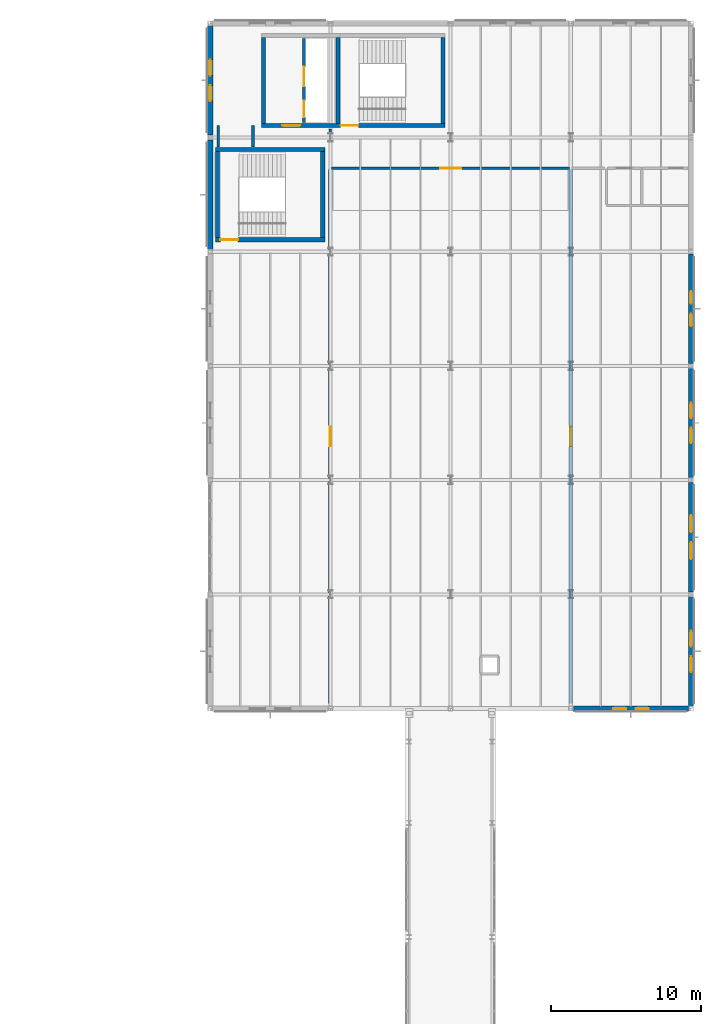
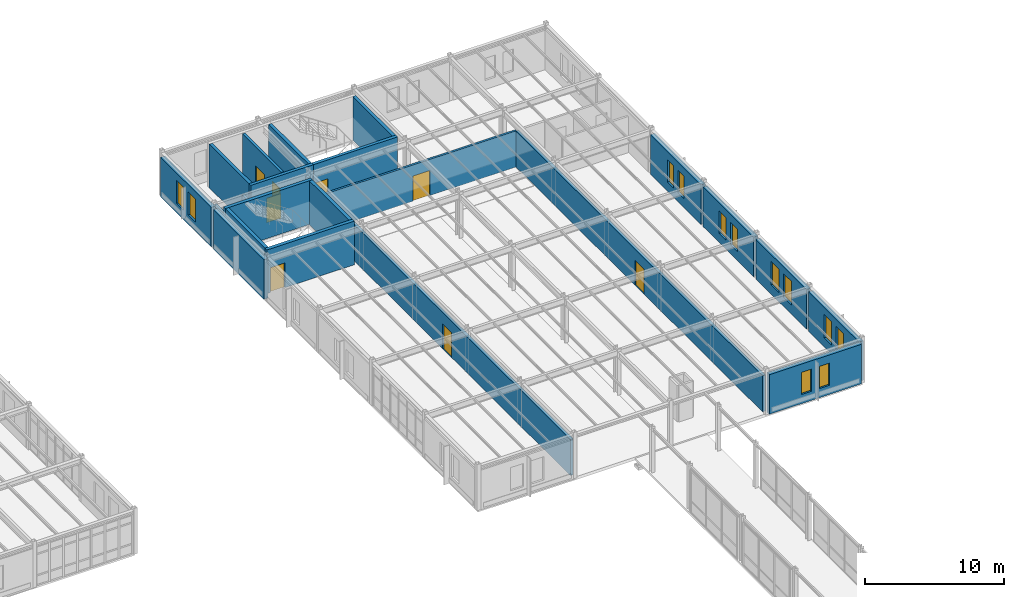
# One storey, part 143 of 165: 23 walls, 12 windows, 8 doors, 20 openings.
"""IFC4 building model written with IfcOpenShell, lengths in metres."""

from ifc_helpers import new_model, si_unit, direction, frame, frame_2d, origin, place, context, subcontext, project, spatial, rectangle, extrude, material, layer, layer_set, type_object, element, fill, save


model = new_model("IFC4")

# Units and contexts
model_context = context("Model", 3, precision=1e-05, world=origin(), true_north=direction((0.0, 1.0)))
body_context = subcontext(model_context, "Body", "Model", "MODEL_VIEW")
ifc_project = project(units=[si_unit("LENGTHUNIT", "METRE"), si_unit("AREAUNIT", "SQUARE_METRE"), si_unit("VOLUMEUNIT", "CUBIC_METRE"), si_unit("PLANEANGLEUNIT", "RADIAN"), si_unit("MASSUNIT", "GRAM", prefix="KILO")], contexts=[model_context])

# Site, building, storey
site_placement = place(None, origin())
site = spatial("IfcSite", under=ifc_project, at=site_placement, CompositionType="ELEMENT")
building_placement = place(site_placement, origin())
building = spatial("IfcBuilding", under=site, at=building_placement, Name="Montecoro Central Library", CompositionType="ELEMENT")
storey_placement = place(building_placement, frame((0.0, 0.0, 5.10009765625)))
storey = spatial("IfcBuildingStorey", under=building, at=storey_placement, Name="L01", CompositionType="ELEMENT", Elevation=5.10009765625)

# Wall, openings, windows
ifc_material_1 = material(Name="Roman travertine stone clad concrete C35/45", Category="masonry")
ifc_layer_1 = layer(ifc_material_1, 0.364990234375)
ifc_layer_set_1 = layer_set([ifc_layer_1], Name="Roman travertine stone clad concrete C35/45")
wall_type_1 = type_object("IfcWallType", Name="EW-STK-365", PredefinedType="SOLIDWALL", material=ifc_layer_set_1)
wall_1_placement = place(storey_placement, frame((165.153076171875, 73.39990234375, 0.0), z_axis=(0.0, 0.0, 1.0), x_axis=(1.0, 0.0, 0.0)))
wall_1 = element("IfcWall", 1, at=wall_1_placement, inside=storey, type_object=wall_type_1, Name="V5-L01-EW-S3", PredefinedType="SOLIDWALL", context=body_context, shape_type="SweptSolid", body=[
    extrude(rectangle(XDim=7.69384765625, YDim=0.364990234375, at=frame_2d((3.846923828125, 0.0))), origin(), (0.0, 0.0, 1.0), 3.47998046875),
])
opening_1_placement = place(wall_1_placement, frame((2.672119140625, 0.0, 0.800048828125)))
opening_1 = element("IfcOpeningElement", 2, at=opening_1_placement, cuts=wall_1, Name="Opening WN-01", PredefinedType="OPENING", context=body_context, shape_type="SweptSolid", body=[
    extrude(rectangle(XDim=0.85009765625, YDim=1.949951171875, at=frame_2d((0.425048828125, 0.97509765625))), frame((0.0, 0.1923828125, 0.0), z_axis=(0.0, -1.0, 0.0), x_axis=(1.0, 0.0, 0.0)), (0.0, 0.0, 1.0), 0.385009765625),
])
opening_2_placement = place(wall_1_placement, frame((4.172119140625, 0.0, 0.800048828125)))
opening_2 = element("IfcOpeningElement", 3, at=opening_2_placement, cuts=wall_1, Name="Opening WN-01", PredefinedType="OPENING", context=body_context, shape_type="SweptSolid", body=[
    extrude(rectangle(XDim=0.85009765625, YDim=1.949951171875, at=frame_2d((0.425048828125, 0.97509765625))), frame((0.0, 0.1923828125, 0.0), z_axis=(0.0, -1.0, 0.0), x_axis=(1.0, 0.0, 0.0)), (0.0, 0.0, 1.0), 0.385009765625),
])
ifc_material_2 = material(Name="UV-filtered triple glazing", Category="glass")
window_type_1 = type_object("IfcWindowType", Name="WN-STK-085", PartitioningType="SINGLE_PANEL", PredefinedType="WINDOW", material=ifc_material_2)
window_1_placement = place(opening_1_placement, origin())
window_1 = element("IfcWindow", 4, at=window_1_placement, inside=storey, type_object=window_type_1, Name="V5-L01-WN-S3-1", OverallHeight=1.949951171875, OverallWidth=0.85009765625, PartitioningType="SINGLE_PANEL", PredefinedType="WINDOW", context=body_context, shape_type="SweptSolid", body=[
    extrude(rectangle(XDim=0.85009765625, YDim=1.949951171875, at=frame_2d((0.425048828125, 0.97509765625))), frame((0.0, 0.030029296875, 0.0), z_axis=(0.0, -1.0, 0.0), x_axis=(1.0, 0.0, 0.0)), (0.0, 0.0, 1.0), 0.06005859375),
])
fill(opening_1, window_1)
window_2_placement = place(opening_2_placement, origin())
window_2 = element("IfcWindow", 5, at=window_2_placement, inside=storey, type_object=window_type_1, Name="V5-L01-WN-S3-2", OverallHeight=1.949951171875, OverallWidth=0.85009765625, PartitioningType="SINGLE_PANEL", PredefinedType="WINDOW", context=body_context, shape_type="SweptSolid", body=[
    extrude(rectangle(XDim=0.85009765625, YDim=1.949951171875, at=frame_2d((0.425048828125, 0.97509765625))), frame((0.0, 0.030029296875, 0.0), z_axis=(0.0, -1.0, 0.0), x_axis=(1.0, 0.0, 0.0)), (0.0, 0.0, 1.0), 0.06005859375),
])
fill(opening_2, window_2)

wall_2_placement = place(storey_placement, frame((173.0, 73.552978515625, 0.0), z_axis=(0.0, 0.0, 1.0), x_axis=(0.0, 1.0, 0.0)))
wall_2 = element("IfcWall", 6, at=wall_2_placement, inside=storey, type_object=wall_type_1, Name="V5-L01-EW-E0", PredefinedType="SOLIDWALL", context=body_context, shape_type="SweptSolid", body=[
    extrude(rectangle(XDim=7.2939453125, YDim=0.364990234375, at=frame_2d((3.64697265625, 0.0))), origin(), (0.0, 0.0, 1.0), 3.47998046875),
])
opening_3_placement = place(wall_2_placement, frame((2.27197265625, 0.0, 0.800048828125)))
opening_3 = element("IfcOpeningElement", 7, at=opening_3_placement, cuts=wall_2, Name="Opening WN-03", PredefinedType="OPENING", context=body_context, shape_type="SweptSolid", body=[
    extrude(rectangle(XDim=1.050048828125, YDim=2.050048828125, at=frame_2d((0.52490234375, 1.02490234375))), frame((0.0, 0.1923828125, 0.0), z_axis=(0.0, -1.0, 0.0), x_axis=(1.0, 0.0, 0.0)), (0.0, 0.0, 1.0), 0.385009765625),
])
opening_4_placement = place(wall_2_placement, frame((3.971923828125, 0.0, 0.800048828125)))
opening_4 = element("IfcOpeningElement", 8, at=opening_4_placement, cuts=wall_2, Name="Opening WN-03", PredefinedType="OPENING", context=body_context, shape_type="SweptSolid", body=[
    extrude(rectangle(XDim=1.050048828125, YDim=2.050048828125, at=frame_2d((0.52490234375, 1.02490234375))), frame((0.0, 0.1923828125, 0.0), z_axis=(0.0, -1.0, 0.0), x_axis=(1.0, 0.0, 0.0)), (0.0, 0.0, 1.0), 0.385009765625),
])
window_type_2 = type_object("IfcWindowType", Name="WN-STK-105", PartitioningType="SINGLE_PANEL", PredefinedType="WINDOW", material=ifc_material_2)
window_3_placement = place(opening_3_placement, origin())
window_3 = element("IfcWindow", 9, at=window_3_placement, inside=storey, type_object=window_type_2, Name="V5-L01-WN-E0-1", OverallHeight=2.050048828125, OverallWidth=1.050048828125, PartitioningType="SINGLE_PANEL", PredefinedType="WINDOW", context=body_context, shape_type="SweptSolid", body=[
    extrude(rectangle(XDim=1.050048828125, YDim=2.050048828125, at=frame_2d((0.52490234375, 1.02490234375))), frame((0.0, 0.030029296875, 0.0), z_axis=(0.0, -1.0, 0.0), x_axis=(1.0, 0.0, 0.0)), (0.0, 0.0, 1.0), 0.06005859375),
])
fill(opening_3, window_3)
window_4_placement = place(opening_4_placement, origin())
window_4 = element("IfcWindow", 10, at=window_4_placement, inside=storey, type_object=window_type_2, Name="V5-L01-WN-E0-2", OverallHeight=2.050048828125, OverallWidth=1.050048828125, PartitioningType="SINGLE_PANEL", PredefinedType="WINDOW", context=body_context, shape_type="SweptSolid", body=[
    extrude(rectangle(XDim=1.050048828125, YDim=2.050048828125, at=frame_2d((0.52490234375, 1.02490234375))), frame((0.0, 0.030029296875, 0.0), z_axis=(0.0, -1.0, 0.0), x_axis=(1.0, 0.0, 0.0)), (0.0, 0.0, 1.0), 0.06005859375),
])
fill(opening_4, window_4)

wall_3_placement = place(storey_placement, frame((173.0, 81.153076171875, 0.0), z_axis=(0.0, 0.0, 1.0), x_axis=(0.0, 1.0, 0.0)))
wall_3 = element("IfcWall", 11, at=wall_3_placement, inside=storey, type_object=wall_type_1, Name="V5-L01-EW-E1", PredefinedType="SOLIDWALL", context=body_context, shape_type="SweptSolid", body=[
    extrude(rectangle(XDim=7.2939453125, YDim=0.364990234375, at=frame_2d((3.64697265625, 0.0))), origin(), (0.0, 0.0, 1.0), 3.47998046875),
])
opening_5_placement = place(wall_3_placement, frame((2.172119140625, 0.0, 0.800048828125)))
opening_5 = element("IfcOpeningElement", 12, at=opening_5_placement, cuts=wall_3, Name="Opening WN-04", PredefinedType="OPENING", context=body_context, shape_type="SweptSolid", body=[
    extrude(rectangle(XDim=1.14990234375, YDim=2.10009765625, at=frame_2d((0.574951171875, 1.050048828125))), frame((0.0, 0.1923828125, 0.0), z_axis=(0.0, -1.0, 0.0), x_axis=(1.0, 0.0, 0.0)), (0.0, 0.0, 1.0), 0.385009765625),
])
opening_6_placement = place(wall_3_placement, frame((3.971923828125, 0.0, 0.800048828125)))
opening_6 = element("IfcOpeningElement", 13, at=opening_6_placement, cuts=wall_3, Name="Opening WN-04", PredefinedType="OPENING", context=body_context, shape_type="SweptSolid", body=[
    extrude(rectangle(XDim=1.14990234375, YDim=2.10009765625, at=frame_2d((0.574951171875, 1.050048828125))), frame((0.0, 0.1923828125, 0.0), z_axis=(0.0, -1.0, 0.0), x_axis=(1.0, 0.0, 0.0)), (0.0, 0.0, 1.0), 0.385009765625),
])
window_type_3 = type_object("IfcWindowType", Name="WN-STK-115", PartitioningType="SINGLE_PANEL", PredefinedType="WINDOW", material=ifc_material_2)
window_5_placement = place(opening_5_placement, origin())
window_5 = element("IfcWindow", 14, at=window_5_placement, inside=storey, type_object=window_type_3, Name="V5-L01-WN-E1-1", OverallHeight=2.10009765625, OverallWidth=1.14990234375, PartitioningType="SINGLE_PANEL", PredefinedType="WINDOW", context=body_context, shape_type="SweptSolid", body=[
    extrude(rectangle(XDim=1.14990234375, YDim=2.10009765625, at=frame_2d((0.574951171875, 1.050048828125))), frame((0.0, 0.030029296875, 0.0), z_axis=(0.0, -1.0, 0.0), x_axis=(1.0, 0.0, 0.0)), (0.0, 0.0, 1.0), 0.06005859375),
])
fill(opening_5, window_5)
window_6_placement = place(opening_6_placement, origin())
window_6 = element("IfcWindow", 15, at=window_6_placement, inside=storey, type_object=window_type_3, Name="V5-L01-WN-E1-2", OverallHeight=2.10009765625, OverallWidth=1.14990234375, PartitioningType="SINGLE_PANEL", PredefinedType="WINDOW", context=body_context, shape_type="SweptSolid", body=[
    extrude(rectangle(XDim=1.14990234375, YDim=2.10009765625, at=frame_2d((0.574951171875, 1.050048828125))), frame((0.0, 0.030029296875, 0.0), z_axis=(0.0, -1.0, 0.0), x_axis=(1.0, 0.0, 0.0)), (0.0, 0.0, 1.0), 0.06005859375),
])
fill(opening_6, window_6)

wall_4_placement = place(storey_placement, frame((173.0, 88.7529296875, 0.0), z_axis=(0.0, 0.0, 1.0), x_axis=(0.0, 1.0, 0.0)))
wall_4 = element("IfcWall", 16, at=wall_4_placement, inside=storey, type_object=wall_type_1, Name="V5-L01-EW-E2", PredefinedType="SOLIDWALL", context=body_context, shape_type="SweptSolid", body=[
    extrude(rectangle(XDim=7.294189453125, YDim=0.364990234375, at=frame_2d((3.64697265625, 0.0))), origin(), (0.0, 0.0, 1.0), 3.47998046875),
])
opening_7_placement = place(wall_4_placement, frame((2.302001953125, 0.0, 0.800048828125)))
opening_7 = element("IfcOpeningElement", 17, at=opening_7_placement, cuts=wall_4, Name="Opening WN-30", PredefinedType="OPENING", context=body_context, shape_type="SweptSolid", body=[
    extrude(rectangle(XDim=1.02001953125, YDim=1.97998046875, at=frame_2d((0.510009765625, 0.989990234375))), frame((0.0, 0.1923828125, 0.0), z_axis=(0.0, -1.0, 0.0), x_axis=(1.0, 0.0, 0.0)), (0.0, 0.0, 1.0), 0.385009765625),
])
opening_8_placement = place(wall_4_placement, frame((3.971923828125, 0.0, 0.800048828125)))
opening_8 = element("IfcOpeningElement", 18, at=opening_8_placement, cuts=wall_4, Name="Opening WN-30", PredefinedType="OPENING", context=body_context, shape_type="SweptSolid", body=[
    extrude(rectangle(XDim=1.02001953125, YDim=1.97998046875, at=frame_2d((0.510009765625, 0.989990234375))), frame((0.0, 0.1923828125, 0.0), z_axis=(0.0, -1.0, 0.0), x_axis=(1.0, 0.0, 0.0)), (0.0, 0.0, 1.0), 0.385009765625),
])
window_type_4 = type_object("IfcWindowType", Name="WN-STK-102", PartitioningType="SINGLE_PANEL", PredefinedType="WINDOW", material=ifc_material_2)
window_7_placement = place(opening_7_placement, origin())
window_7 = element("IfcWindow", 19, at=window_7_placement, inside=storey, type_object=window_type_4, Name="V5-L01-WN-E2-1", OverallHeight=1.97998046875, OverallWidth=1.02001953125, PartitioningType="SINGLE_PANEL", PredefinedType="WINDOW", context=body_context, shape_type="SweptSolid", body=[
    extrude(rectangle(XDim=1.02001953125, YDim=1.97998046875, at=frame_2d((0.510009765625, 0.989990234375))), frame((0.0, 0.030029296875, 0.0), z_axis=(0.0, -1.0, 0.0), x_axis=(1.0, 0.0, 0.0)), (0.0, 0.0, 1.0), 0.06005859375),
])
fill(opening_7, window_7)
window_8_placement = place(opening_8_placement, origin())
window_8 = element("IfcWindow", 20, at=window_8_placement, inside=storey, type_object=window_type_4, Name="V5-L01-WN-E2-2", OverallHeight=1.97998046875, OverallWidth=1.02001953125, PartitioningType="SINGLE_PANEL", PredefinedType="WINDOW", context=body_context, shape_type="SweptSolid", body=[
    extrude(rectangle(XDim=1.02001953125, YDim=1.97998046875, at=frame_2d((0.510009765625, 0.989990234375))), frame((0.0, 0.030029296875, 0.0), z_axis=(0.0, -1.0, 0.0), x_axis=(1.0, 0.0, 0.0)), (0.0, 0.0, 1.0), 0.06005859375),
])
fill(opening_8, window_8)

wall_5_placement = place(storey_placement, frame((173.0, 96.35302734375, 0.0), z_axis=(0.0, 0.0, 1.0), x_axis=(0.0, 1.0, 0.0)))
wall_5 = element("IfcWall", 21, at=wall_5_placement, inside=storey, type_object=wall_type_1, Name="V5-L01-EW-E3", PredefinedType="SOLIDWALL", context=body_context, shape_type="SweptSolid", body=[
    extrude(rectangle(XDim=7.2939453125, YDim=0.364990234375, at=frame_2d((3.64697265625, 0.0))), origin(), (0.0, 0.0, 1.0), 3.47998046875),
])
opening_9_placement = place(wall_5_placement, frame((2.471923828125, 0.0, 0.800048828125)))
opening_9 = element("IfcOpeningElement", 22, at=opening_9_placement, cuts=wall_5, Name="Opening WN-01", PredefinedType="OPENING", context=body_context, shape_type="SweptSolid", body=[
    extrude(rectangle(XDim=0.85009765625, YDim=1.949951171875, at=frame_2d((0.425048828125, 0.97509765625))), frame((0.0, 0.1923828125, 0.0), z_axis=(0.0, -1.0, 0.0), x_axis=(1.0, 0.0, 0.0)), (0.0, 0.0, 1.0), 0.385009765625),
])
opening_10_placement = place(wall_5_placement, frame((3.971923828125, 0.0, 0.800048828125)))
opening_10 = element("IfcOpeningElement", 23, at=opening_10_placement, cuts=wall_5, Name="Opening WN-01", PredefinedType="OPENING", context=body_context, shape_type="SweptSolid", body=[
    extrude(rectangle(XDim=0.85009765625, YDim=1.949951171875, at=frame_2d((0.425048828125, 0.97509765625))), frame((0.0, 0.1923828125, 0.0), z_axis=(0.0, -1.0, 0.0), x_axis=(1.0, 0.0, 0.0)), (0.0, 0.0, 1.0), 0.385009765625),
])
window_9_placement = place(opening_9_placement, origin())
window_9 = element("IfcWindow", 24, at=window_9_placement, inside=storey, type_object=window_type_1, Name="V5-L01-WN-E3-1", OverallHeight=1.949951171875, OverallWidth=0.85009765625, PartitioningType="SINGLE_PANEL", PredefinedType="WINDOW", context=body_context, shape_type="SweptSolid", body=[
    extrude(rectangle(XDim=0.85009765625, YDim=1.949951171875, at=frame_2d((0.425048828125, 0.97509765625))), frame((0.0, 0.030029296875, 0.0), z_axis=(0.0, -1.0, 0.0), x_axis=(1.0, 0.0, 0.0)), (0.0, 0.0, 1.0), 0.06005859375),
])
fill(opening_9, window_9)
window_10_placement = place(opening_10_placement, origin())
window_10 = element("IfcWindow", 25, at=window_10_placement, inside=storey, type_object=window_type_1, Name="V5-L01-WN-E3-2", OverallHeight=1.949951171875, OverallWidth=0.85009765625, PartitioningType="SINGLE_PANEL", PredefinedType="WINDOW", context=body_context, shape_type="SweptSolid", body=[
    extrude(rectangle(XDim=0.85009765625, YDim=1.949951171875, at=frame_2d((0.425048828125, 0.97509765625))), frame((0.0, 0.030029296875, 0.0), z_axis=(0.0, -1.0, 0.0), x_axis=(1.0, 0.0, 0.0)), (0.0, 0.0, 1.0), 0.06005859375),
])
fill(opening_10, window_10)

wall_6_placement = place(storey_placement, frame((141.0, 118.846923828125, 0.0), z_axis=(0.0, 0.0, 1.0), x_axis=(0.0, -1.0, 0.0)))
wall_6 = element("IfcWall", 26, at=wall_6_placement, inside=storey, type_object=wall_type_1, Name="V5-L01-EW-W5", PredefinedType="SOLIDWALL", context=body_context, shape_type="SweptSolid", body=[
    extrude(rectangle(XDim=7.2939453125, YDim=0.364990234375, at=frame_2d((3.64697265625, 0.0))), origin(), (0.0, 0.0, 1.0), 3.47998046875),
])
opening_11_placement = place(wall_6_placement, frame((2.27197265625, 0.0, 0.800048828125)))
opening_11 = element("IfcOpeningElement", 27, at=opening_11_placement, cuts=wall_6, Name="Opening WN-03", PredefinedType="OPENING", context=body_context, shape_type="SweptSolid", body=[
    extrude(rectangle(XDim=1.050048828125, YDim=2.050048828125, at=frame_2d((0.52490234375, 1.02490234375))), frame((0.0, 0.1923828125, 0.0), z_axis=(0.0, -1.0, 0.0), x_axis=(1.0, 0.0, 0.0)), (0.0, 0.0, 1.0), 0.385009765625),
])
opening_12_placement = place(wall_6_placement, frame((3.971923828125, 0.0, 0.800048828125)))
opening_12 = element("IfcOpeningElement", 28, at=opening_12_placement, cuts=wall_6, Name="Opening WN-03", PredefinedType="OPENING", context=body_context, shape_type="SweptSolid", body=[
    extrude(rectangle(XDim=1.050048828125, YDim=2.050048828125, at=frame_2d((0.52490234375, 1.02490234375))), frame((0.0, 0.1923828125, 0.0), z_axis=(0.0, -1.0, 0.0), x_axis=(1.0, 0.0, 0.0)), (0.0, 0.0, 1.0), 0.385009765625),
])
window_11_placement = place(opening_11_placement, origin())
window_11 = element("IfcWindow", 29, at=window_11_placement, inside=storey, type_object=window_type_2, Name="V5-L01-WN-W5-1", OverallHeight=2.050048828125, OverallWidth=1.050048828125, PartitioningType="SINGLE_PANEL", PredefinedType="WINDOW", context=body_context, shape_type="SweptSolid", body=[
    extrude(rectangle(XDim=1.050048828125, YDim=2.050048828125, at=frame_2d((0.52490234375, 1.02490234375))), frame((0.0, 0.030029296875, 0.0), z_axis=(0.0, -1.0, 0.0), x_axis=(1.0, 0.0, 0.0)), (0.0, 0.0, 1.0), 0.06005859375),
])
fill(opening_11, window_11)
window_12_placement = place(opening_12_placement, origin())
window_12 = element("IfcWindow", 30, at=window_12_placement, inside=storey, type_object=window_type_2, Name="V5-L01-WN-W5-2", OverallHeight=2.050048828125, OverallWidth=1.050048828125, PartitioningType="SINGLE_PANEL", PredefinedType="WINDOW", context=body_context, shape_type="SweptSolid", body=[
    extrude(rectangle(XDim=1.050048828125, YDim=2.050048828125, at=frame_2d((0.52490234375, 1.02490234375))), frame((0.0, 0.030029296875, 0.0), z_axis=(0.0, -1.0, 0.0), x_axis=(1.0, 0.0, 0.0)), (0.0, 0.0, 1.0), 0.06005859375),
])
fill(opening_12, window_12)

# Wall
wall_7_placement = place(storey_placement, frame((141.0, 111.2470703125, 0.0), z_axis=(0.0, 0.0, 1.0), x_axis=(0.0, -1.0, 0.0)))
element("IfcWall", 31, at=wall_7_placement, inside=storey, type_object=wall_type_1, Name="V5-L01-EW-W4", PredefinedType="SOLIDWALL", context=body_context, shape_type="SweptSolid", body=[
    extrude(rectangle(XDim=7.294189453125, YDim=0.364990234375, at=frame_2d((3.64697265625, 0.0))), origin(), (0.0, 0.0, 1.0), 3.47998046875),
])

# Wall, opening, door
ifc_material_3 = material(Name="Gypsum fire-rated partition")
ifc_layer_2 = layer(ifc_material_3, 0.179931640625)
ifc_layer_set_2 = layer_set([ifc_layer_2], Name="Gypsum fire-rated partition")
wall_type_2 = type_object("IfcWallType", Name="IW-COR-180", PredefinedType="PARTITIONING", material=ifc_layer_set_2)
wall_8_placement = place(storey_placement, frame((149.090087890625, 109.35009765625, 0.0), z_axis=(0.0, 0.0, 1.0), x_axis=(1.0, 0.0, 0.0)))
wall_8 = element("IfcWall", 32, at=wall_8_placement, inside=storey, type_object=wall_type_2, Name="CORW-V5-L01-03", PredefinedType="PARTITIONING", context=body_context, shape_type="SweptSolid", body=[
    extrude(rectangle(XDim=15.81982421875, YDim=0.179931640625, at=frame_2d((7.909912109375, 0.0))), origin(), (0.0, 0.0, 1.0), 3.179931640625),
])
opening_13_placement = place(wall_8_placement, frame((7.2099609375, 0.0, 0.0)))
opening_13 = element("IfcOpeningElement", 33, at=opening_13_placement, cuts=wall_8, Name="Opening ID-08", PredefinedType="OPENING", context=body_context, shape_type="SweptSolid", body=[
    extrude(rectangle(XDim=1.39990234375, YDim=2.219970703125, at=frame_2d((0.699951171875, 1.10986328125))), frame((0.0, 0.099853515625, 0.0), z_axis=(0.0, -1.0, 0.0), x_axis=(1.0, 0.0, 0.0)), (0.0, 0.0, 1.0), 0.199951171875),
])
ifc_material_4 = material(Name="Solid oak and fire-rated steel door", Category="steel")
door_type_1 = type_object("IfcDoorType", Name="ID-RDG-140", OperationType="NOTDEFINED", PredefinedType="DOOR", material=ifc_material_4)
door_1_placement = place(opening_13_placement, origin())
door_1 = element("IfcDoor", 34, at=door_1_placement, inside=storey, type_object=door_type_1, Name="DR-SP-V5-L01-R2P1", OperationType="SINGLE_SWING_LEFT", OverallHeight=2.219970703125, OverallWidth=1.39990234375, PredefinedType="DOOR", context=body_context, shape_type="SweptSolid", body=[
    extrude(rectangle(XDim=1.39990234375, YDim=2.219970703125, at=frame_2d((0.699951171875, 1.10986328125))), frame((0.0, 0.02490234375, 0.0), z_axis=(0.0, -1.0, 0.0), x_axis=(1.0, 0.0, 0.0)), (0.0, 0.0, 1.0), 0.050048828125),
])
fill(opening_13, door_1)

# Walls
wall_9_placement = place(storey_placement, frame((149.0, 111.639892578125, 0.0), z_axis=(0.0, 0.0, 1.0), x_axis=(0.0, 1.0, 0.0)))
element("IfcWall", 35, at=wall_9_placement, inside=storey, type_object=wall_type_2, Name="PIL-V5-L01-1", PredefinedType="PARTITIONING", context=body_context, shape_type="SweptSolid", body=[
    extrude(rectangle(XDim=0.320068359375, YDim=0.179931640625, at=frame_2d((0.16015625, 0.0))), origin(), (0.0, 0.0, 1.0), 3.179931640625),
])
for number, where, z_axis, x_axis, name in (
    (36, (141.550048828125, 110.760009765625, 0.0), (0.0, 0.0, 1.0), (0.0, 1.0, 0.0), "SPRW-V5-L01-1W1"),
    (37, (143.85009765625, 110.760009765625, 0.0), (0.0, 0.0, 1.0), (0.0, 1.0, 0.0), "SPRW-V5-L01-1E1"),
):
    element("IfcWall", number, at=place(storey_placement, frame(where, z_axis=z_axis, x_axis=x_axis)), inside=storey, type_object=wall_type_2, Name=name, PredefinedType="PARTITIONING", context=body_context, shape_type="SweptSolid", body=[
        extrude(rectangle(XDim=1.43994140625, YDim=0.179931640625, at=frame_2d((0.719970703125, 0.0))), origin(), (0.0, 0.0, 1.0), 3.179931640625),
    ])

# Wall, openings, doors
ifc_material_5 = material(Name="Concrete C32/40", Category="concrete")
ifc_layer_3 = layer(ifc_material_5, 0.219970703125)
ifc_layer_set_3 = layer_set([ifc_layer_3], Name="Concrete C32/40")
wall_type_3 = type_object("IfcWallType", Name="IW-FFL-220", PredefinedType="SOLIDWALL", material=ifc_layer_set_3)
wall_10_placement = place(storey_placement, frame((147.25, 112.39990234375, 0.0), z_axis=(0.0, 0.0, 1.0), x_axis=(0.0, 1.0, 0.0)))
wall_10 = element("IfcWall", 38, at=wall_10_placement, inside=storey, type_object=wall_type_3, Name="C6-L01-WLSH", PredefinedType="SOLIDWALL", context=body_context, shape_type="SweptSolid", body=[
    extrude(rectangle(XDim=5.60009765625, YDim=0.219970703125, at=frame_2d((2.800048828125, 0.0))), origin(), (0.0, 0.0, 1.0), 3.844970703125),
])
opening_14_placement = place(wall_10_placement, frame((0.35009765625, 0.0, 0.0)))
opening_14 = element("IfcOpeningElement", 39, at=opening_14_placement, cuts=wall_10, Name="Opening LD-01", PredefinedType="OPENING", context=body_context, shape_type="SweptSolid", body=[
    extrude(rectangle(XDim=1.10009765625, YDim=2.14990234375, at=frame_2d((0.550048828125, 1.074951171875))), frame((0.0, 0.119873046875, 0.0), z_axis=(0.0, -1.0, 0.0), x_axis=(1.0, 0.0, 0.0)), (0.0, 0.0, 1.0), 0.239990234375),
])
opening_15_placement = place(wall_10_placement, frame((2.39990234375, 0.0, 0.0)))
opening_15 = element("IfcOpeningElement", 40, at=opening_15_placement, cuts=wall_10, Name="Opening LD-02", PredefinedType="OPENING", context=body_context, shape_type="SweptSolid", body=[
    extrude(rectangle(XDim=1.300048828125, YDim=2.179931640625, at=frame_2d((0.64990234375, 1.08984375))), frame((0.0, 0.119873046875, 0.0), z_axis=(0.0, -1.0, 0.0), x_axis=(1.0, 0.0, 0.0)), (0.0, 0.0, 1.0), 0.239990234375),
])
door_type_2 = type_object("IfcDoorType", Name="LD-LIFT-110", OperationType="NOTDEFINED", PredefinedType="DOOR", material=ifc_material_4)
door_2_placement = place(opening_14_placement, origin())
door_2 = element("IfcDoor", 41, at=door_2_placement, inside=storey, type_object=door_type_2, Name="C6-L01-LD-FFL-02", OperationType="SLIDING_TO_LEFT", OverallHeight=2.14990234375, OverallWidth=1.10009765625, PredefinedType="DOOR", context=body_context, shape_type="SweptSolid", body=[
    extrude(rectangle(XDim=1.10009765625, YDim=2.14990234375, at=frame_2d((0.550048828125, 1.074951171875))), frame((0.0, 0.02490234375, 0.0), z_axis=(0.0, -1.0, 0.0), x_axis=(1.0, 0.0, 0.0)), (0.0, 0.0, 1.0), 0.050048828125),
])
fill(opening_14, door_2)
door_type_3 = type_object("IfcDoorType", Name="LD-LIFT-130", OperationType="NOTDEFINED", PredefinedType="DOOR", material=ifc_material_4)
door_3_placement = place(opening_15_placement, origin())
door_3 = element("IfcDoor", 42, at=door_3_placement, inside=storey, type_object=door_type_3, Name="C6-L01-LD-GL-01", OperationType="SLIDING_TO_LEFT", OverallHeight=2.179931640625, OverallWidth=1.300048828125, PredefinedType="DOOR", context=body_context, shape_type="SweptSolid", body=[
    extrude(rectangle(XDim=1.300048828125, YDim=2.179931640625, at=frame_2d((0.64990234375, 1.08984375))), frame((0.0, 0.02490234375, 0.0), z_axis=(0.0, -1.0, 0.0), x_axis=(1.0, 0.0, 0.0)), (0.0, 0.0, 1.0), 0.050048828125),
])
fill(opening_15, door_3)

# Wall, opening, door
ifc_material_6 = material(Name="Concrete C35/45", Category="concrete")
ifc_layer_4 = layer(ifc_material_6, 0.260009765625)
ifc_layer_set_4 = layer_set([ifc_layer_4], Name="Concrete C35/45")
wall_type_4 = type_object("IfcWallType", Name="IW-SHR-260", PredefinedType="SHEAR", material=ifc_layer_set_4)
wall_11_placement = place(storey_placement, frame((144.419921875, 112.199951171875, 0.0), z_axis=(0.0, 0.0, 1.0), x_axis=(1.0, 0.0, 0.0)))
wall_11 = element("IfcWall", 43, at=wall_11_placement, inside=storey, type_object=wall_type_4, Name="C6-L01-LWS", PredefinedType="SHEAR", context=body_context, shape_type="SweptSolid", body=[
    extrude(rectangle(XDim=5.2099609375, YDim=0.260009765625, at=frame_2d((2.60498046875, 0.0))), origin(), (0.0, 0.0, 1.0), 3.844970703125),
])
opening_16_placement = place(wall_11_placement, frame((1.3798828125, 0.0, 0.0)))
opening_16 = element("IfcOpeningElement", 44, at=opening_16_placement, cuts=wall_11, Name="Opening ID-03", PredefinedType="OPENING", context=body_context, shape_type="SweptSolid", body=[
    extrude(rectangle(XDim=1.199951171875, YDim=2.159912109375, at=frame_2d((0.60009765625, 1.080078125))), frame((0.0, 0.139892578125, 0.0), z_axis=(0.0, -1.0, 0.0), x_axis=(1.0, 0.0, 0.0)), (0.0, 0.0, 1.0), 0.280029296875),
])
door_type_4 = type_object("IfcDoorType", Name="ID-FFL-120", OperationType="NOTDEFINED", PredefinedType="DOOR", material=ifc_material_4)
door_4_placement = place(opening_16_placement, origin())
door_4 = element("IfcDoor", 45, at=door_4_placement, inside=storey, type_object=door_type_4, Name="C6-L01-DLOB", OperationType="SINGLE_SWING_LEFT", OverallHeight=2.159912109375, OverallWidth=1.199951171875, PredefinedType="DOOR", context=body_context, shape_type="SweptSolid", body=[
    extrude(rectangle(XDim=1.199951171875, YDim=2.159912109375, at=frame_2d((0.60009765625, 1.080078125))), frame((0.0, 0.02490234375, 0.0), z_axis=(0.0, -1.0, 0.0), x_axis=(1.0, 0.0, 0.0)), (0.0, 0.0, 1.0), 0.050048828125),
])
fill(opening_16, door_4)

# Wall
wall_12_placement = place(storey_placement, frame((144.550048828125, 118.070068359375, 0.0), z_axis=(0.0, 0.0, 1.0), x_axis=(0.0, -1.0, 0.0)))
element("IfcWall", 46, at=wall_12_placement, inside=storey, type_object=wall_type_4, Name="C6-L01-LWW", PredefinedType="SHEAR", context=body_context, shape_type="SweptSolid", body=[
    extrude(rectangle(XDim=5.739990234375, YDim=0.260009765625, at=frame_2d((2.8701171875, 0.0))), origin(), (0.0, 0.0, 1.0), 3.844970703125),
])

# Wall, opening, door
wall_13_placement = place(storey_placement, frame((149.3701171875, 112.199951171875, 0.0), z_axis=(0.0, 0.0, 1.0), x_axis=(1.0, 0.0, 0.0)))
wall_13 = element("IfcWall", 47, at=wall_13_placement, inside=storey, type_object=wall_type_4, Name="C6-L01-WS", PredefinedType="SHEAR", context=body_context, shape_type="SweptSolid", body=[
    extrude(rectangle(XDim=7.259765625, YDim=0.260009765625, at=frame_2d((3.6298828125, 0.0))), origin(), (0.0, 0.0, 1.0), 3.844970703125),
])
opening_17_placement = place(wall_13_placement, frame((0.31005859375, 0.0, 0.0)))
opening_17 = element("IfcOpeningElement", 48, at=opening_17_placement, cuts=wall_13, Name="Opening ID-02", PredefinedType="OPENING", context=body_context, shape_type="SweptSolid", body=[
    extrude(rectangle(XDim=1.179931640625, YDim=2.179931640625, at=frame_2d((0.58984375, 1.08984375))), frame((0.0, 0.139892578125, 0.0), z_axis=(0.0, -1.0, 0.0), x_axis=(1.0, 0.0, 0.0)), (0.0, 0.0, 1.0), 0.280029296875),
])
door_type_5 = type_object("IfcDoorType", Name="ID-STR-135", OperationType="NOTDEFINED", PredefinedType="DOOR", material=ifc_material_4)
door_5_placement = place(opening_17_placement, origin())
door_5 = element("IfcDoor", 49, at=door_5_placement, inside=storey, type_object=door_type_5, Name="C6-L01-DSTR", OperationType="SINGLE_SWING_RIGHT", OverallHeight=2.179931640625, OverallWidth=1.179931640625, PredefinedType="DOOR", context=body_context, shape_type="SweptSolid", body=[
    extrude(rectangle(XDim=1.179931640625, YDim=2.179931640625, at=frame_2d((0.58984375, 1.08984375))), frame((0.0, 0.02490234375, 0.0), z_axis=(0.0, -1.0, 0.0), x_axis=(1.0, 0.0, 0.0)), (0.0, 0.0, 1.0), 0.050048828125),
])
fill(opening_17, door_5)

# Walls
for number, where, z_axis, x_axis, name in (
    (50, (149.5, 112.330078125, 0.0), (0.0, 0.0, 1.0), (0.0, 1.0, 0.0), "C6-L01-WW"),
    (51, (156.5, 112.330078125, 0.0), (0.0, 0.0, 1.0), (0.0, 1.0, 0.0), "C6-L01-WE"),
):
    element("IfcWall", number, at=place(storey_placement, frame(where, z_axis=z_axis, x_axis=x_axis)), inside=storey, type_object=wall_type_4, Name=name, PredefinedType="SHEAR", context=body_context, shape_type="SweptSolid", body=[
        extrude(rectangle(XDim=5.739990234375, YDim=0.260009765625, at=frame_2d((2.8701171875, 0.0))), origin(), (0.0, 0.0, 1.0), 3.844970703125),
    ])

# Wall, opening, door
ifc_layer_5 = layer(ifc_material_6, 0.280029296875)
ifc_layer_set_5 = layer_set([ifc_layer_5], Name="Concrete C35/45")
wall_type_5 = type_object("IfcWallType", Name="IW-SHR-280", PredefinedType="SHEAR", material=ifc_layer_set_5)
wall_14_placement = place(storey_placement, frame((141.360107421875, 104.60009765625, 0.0), z_axis=(0.0, 0.0, 1.0), x_axis=(1.0, 0.0, 0.0)))
wall_14 = element("IfcWall", 52, at=wall_14_placement, inside=storey, type_object=wall_type_5, Name="C8-L01-WS", PredefinedType="SHEAR", context=body_context, shape_type="SweptSolid", body=[
    extrude(rectangle(XDim=7.27978515625, YDim=0.280029296875, at=frame_2d((3.639892578125, 0.0))), origin(), (0.0, 0.0, 1.0), 3.844970703125),
])
opening_18_placement = place(wall_14_placement, frame((0.320068359375, 0.0, 0.0)))
opening_18 = element("IfcOpeningElement", 53, at=opening_18_placement, cuts=wall_14, Name="Opening ID-02", PredefinedType="OPENING", context=body_context, shape_type="SweptSolid", body=[
    extrude(rectangle(XDim=1.179931640625, YDim=2.179931640625, at=frame_2d((0.58984375, 1.08984375))), frame((0.0, 0.14990234375, 0.0), z_axis=(0.0, -1.0, 0.0), x_axis=(1.0, 0.0, 0.0)), (0.0, 0.0, 1.0), 0.300048828125),
])
door_6_placement = place(opening_18_placement, origin())
door_6 = element("IfcDoor", 54, at=door_6_placement, inside=storey, type_object=door_type_5, Name="C8-L01-DSTR", OperationType="SINGLE_SWING_LEFT", OverallHeight=2.179931640625, OverallWidth=1.179931640625, PredefinedType="DOOR", context=body_context, shape_type="SweptSolid", body=[
    extrude(rectangle(XDim=1.179931640625, YDim=2.179931640625, at=frame_2d((0.58984375, 1.08984375))), frame((0.0, 0.02490234375, 0.0), z_axis=(0.0, -1.0, 0.0), x_axis=(1.0, 0.0, 0.0)), (0.0, 0.0, 1.0), 0.050048828125),
])
fill(opening_18, door_6)

# Walls
wall_15_placement = place(storey_placement, frame((141.360107421875, 110.60009765625, 0.0), z_axis=(0.0, 0.0, 1.0), x_axis=(1.0, 0.0, 0.0)))
element("IfcWall", 55, at=wall_15_placement, inside=storey, type_object=wall_type_5, Name="C8-L01-WN", PredefinedType="SHEAR", context=body_context, shape_type="SweptSolid", body=[
    extrude(rectangle(XDim=7.27978515625, YDim=0.280029296875, at=frame_2d((3.639892578125, 0.0))), origin(), (0.0, 0.0, 1.0), 3.844970703125),
])
for number, where, z_axis, x_axis, name in (
    (56, (141.5, 104.739990234375, 0.0), (0.0, 0.0, 1.0), (0.0, 1.0, 0.0), "C8-L01-WW"),
    (57, (148.5, 104.739990234375, 0.0), (0.0, 0.0, 1.0), (0.0, 1.0, 0.0), "C8-L01-WE"),
):
    element("IfcWall", number, at=place(storey_placement, frame(where, z_axis=z_axis, x_axis=x_axis)), inside=storey, type_object=wall_type_5, Name=name, PredefinedType="SHEAR", context=body_context, shape_type="SweptSolid", body=[
        extrude(rectangle(XDim=5.719970703125, YDim=0.280029296875, at=frame_2d((2.85986328125, 0.0))), origin(), (0.0, 0.0, 1.0), 3.844970703125),
    ])

# Wall, opening, door
ifc_layer_6 = layer(ifc_material_5, 0.239990234375)
ifc_layer_set_6 = layer_set([ifc_layer_6], Name="Concrete C32/40")
wall_type_6 = type_object("IfcWallType", Name="IW-VLT-240", PredefinedType="SOLIDWALL", material=ifc_layer_set_6)
wall_16_placement = place(storey_placement, frame((149.0, 73.719970703125, 0.0), z_axis=(0.0, 0.0, 1.0), x_axis=(0.0, 1.0, 0.0)))
wall_16 = element("IfcWall", 58, at=wall_16_placement, inside=storey, type_object=wall_type_6, Name="Archival Vault Enclosure Wall", PredefinedType="SOLIDWALL", context=body_context, shape_type="SweptSolid", body=[
    extrude(rectangle(XDim=35.5400390625, YDim=0.239990234375, at=frame_2d((17.77001953125, 0.0))), origin(), (0.0, 0.0, 1.0), 3.179931640625),
])
opening_19_placement = place(wall_16_placement, frame((17.1201171875, 0.0, 0.0)))
opening_19 = element("IfcOpeningElement", 59, at=opening_19_placement, cuts=wall_16, Name="Opening ID-04", PredefinedType="OPENING", context=body_context, shape_type="SweptSolid", body=[
    extrude(rectangle(XDim=1.300048828125, YDim=2.199951171875, at=frame_2d((0.64990234375, 1.10009765625))), frame((0.0, 0.1298828125, 0.0), z_axis=(0.0, -1.0, 0.0), x_axis=(1.0, 0.0, 0.0)), (0.0, 0.0, 1.0), 0.260009765625),
])
door_type_6 = type_object("IfcDoorType", Name="ID-VLT-130", OperationType="NOTDEFINED", PredefinedType="DOOR", material=ifc_material_4)
door_7_placement = place(opening_19_placement, origin())
door_7 = element("IfcDoor", 60, at=door_7_placement, inside=storey, type_object=door_type_6, Name="DR-SP-V5-L01-R1P1", OperationType="SINGLE_SWING_RIGHT", OverallHeight=2.199951171875, OverallWidth=1.300048828125, PredefinedType="DOOR", context=body_context, shape_type="SweptSolid", body=[
    extrude(rectangle(XDim=1.300048828125, YDim=2.199951171875, at=frame_2d((0.64990234375, 1.10009765625))), frame((0.0, 0.02490234375, 0.0), z_axis=(0.0, -1.0, 0.0), x_axis=(1.0, 0.0, 0.0)), (0.0, 0.0, 1.0), 0.050048828125),
])
fill(opening_19, door_7)

wall_17_placement = place(storey_placement, frame((165.0, 73.719970703125, 0.0), z_axis=(0.0, 0.0, 1.0), x_axis=(0.0, 1.0, 0.0)))
wall_17 = element("IfcWall", 61, at=wall_17_placement, inside=storey, type_object=wall_type_6, Name="Archival Vault Enclosure Wall", PredefinedType="SOLIDWALL", context=body_context, shape_type="SweptSolid", body=[
    extrude(rectangle(XDim=35.5400390625, YDim=0.239990234375, at=frame_2d((17.77001953125, 0.0))), origin(), (0.0, 0.0, 1.0), 3.179931640625),
])
opening_20_placement = place(wall_17_placement, frame((17.1201171875, 0.0, 0.0)))
opening_20 = element("IfcOpeningElement", 62, at=opening_20_placement, cuts=wall_17, Name="Opening ID-04", PredefinedType="OPENING", context=body_context, shape_type="SweptSolid", body=[
    extrude(rectangle(XDim=1.300048828125, YDim=2.199951171875, at=frame_2d((0.64990234375, 1.10009765625))), frame((0.0, 0.1298828125, 0.0), z_axis=(0.0, -1.0, 0.0), x_axis=(1.0, 0.0, 0.0)), (0.0, 0.0, 1.0), 0.260009765625),
])
door_8_placement = place(opening_20_placement, origin())
door_8 = element("IfcDoor", 63, at=door_8_placement, inside=storey, type_object=door_type_6, Name="DR-SP-V5-L01-R3P1", OperationType="SINGLE_SWING_RIGHT", OverallHeight=2.199951171875, OverallWidth=1.300048828125, PredefinedType="DOOR", context=body_context, shape_type="SweptSolid", body=[
    extrude(rectangle(XDim=1.300048828125, YDim=2.199951171875, at=frame_2d((0.64990234375, 1.10009765625))), frame((0.0, 0.02490234375, 0.0), z_axis=(0.0, -1.0, 0.0), x_axis=(1.0, 0.0, 0.0)), (0.0, 0.0, 1.0), 0.050048828125),
])
fill(opening_20, door_8)

save(model, "model.ifc")
